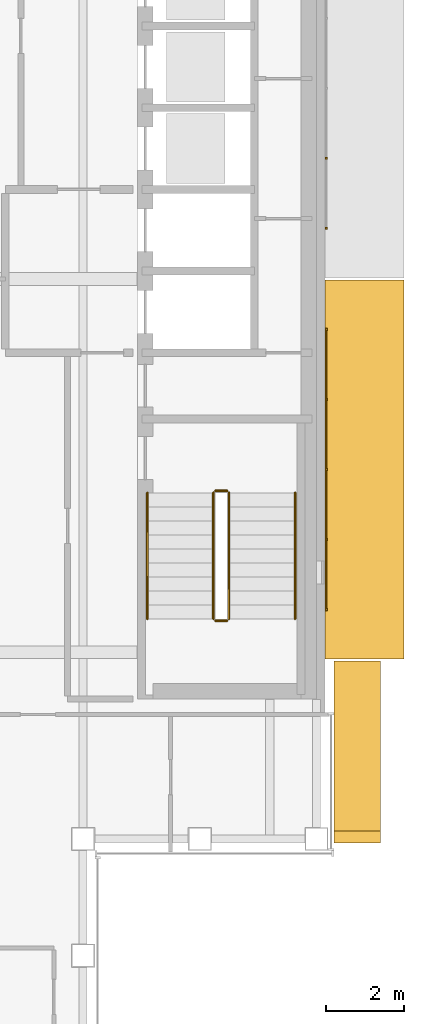
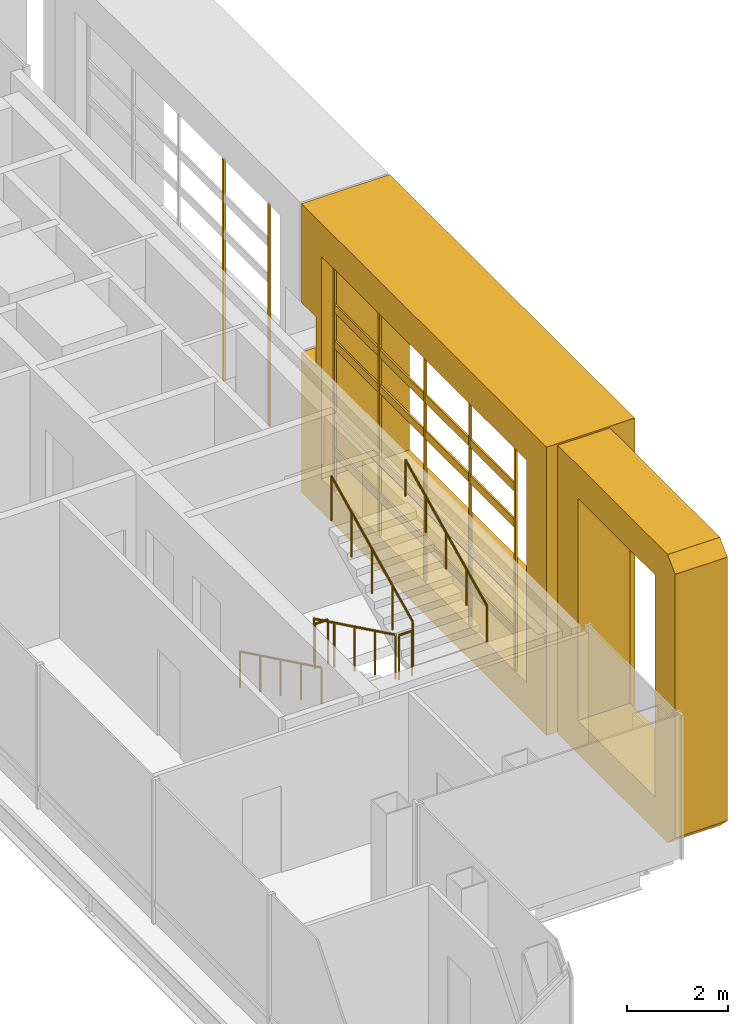
# One storey, part 18 of 21: 17 coverings, 6 railings.
"""IFC4 building model written with IfcOpenShell, lengths in metres."""

from ifc_helpers import new_model, si_unit, direction, frame, origin, origin_2d, place, context, subcontext, project, spatial, polyline, rectangle, circle, outline, extrude, material, type_object, element, save


model = new_model("IFC4")

# Units and contexts
model_context = context("Model", 3, precision=1e-05, world=origin(), true_north=direction((0.0, 1.0)))
body_context = subcontext(model_context, "Body", "Model", "MODEL_VIEW")
ifc_project = project(units=[si_unit("LENGTHUNIT", "METRE"), si_unit("AREAUNIT", "SQUARE_METRE"), si_unit("VOLUMEUNIT", "CUBIC_METRE"), si_unit("PLANEANGLEUNIT", "RADIAN"), si_unit("MASSUNIT", "GRAM", prefix="KILO")], contexts=[model_context])

# Site, building, storey
site_placement = place(None, origin())
site = spatial("IfcSite", under=ifc_project, at=site_placement, CompositionType="ELEMENT")
building_placement = place(site_placement, origin())
building = spatial("IfcBuilding", under=site, at=building_placement, Name="Cobrizo Arcos Hotel Tower", CompositionType="ELEMENT")
storey_placement = place(building_placement, frame((0.0, 0.0, 283.0)))
storey = spatial("IfcBuildingStorey", under=building, at=storey_placement, Name="L75", CompositionType="ELEMENT", Elevation=283.0)

# Coverings
ifc_material_1 = material(Name="Aluminium 6063-T6 anodised bronze", Category="aluminium")
covering_type_1 = type_object("IfcCoveringType", Name="FIN-F 1200", PredefinedType="CLADDING", material=ifc_material_1)
covering_1_placement = place(storey_placement, frame((20.85009765625, -14.5, 0.0), z_axis=(1.0, 0.0, 0.0), x_axis=(0.0, 1.0, 0.0)))
element("IfcCovering", 1, at=covering_1_placement, inside=storey, type_object=covering_type_1, Name="Fin frame 403", PredefinedType="CLADDING", context=body_context, shape_type="SweptSolid", body=[
    extrude(outline(polyline([(0.0, 0.300048828125), (0.300048828125, 0.0), (4.675048828125, 0.0), (4.675048828125, 7.0), (0.300048828125, 7.0), (0.0, 6.699951171875), (0.0, 0.300048828125)]), holes=[polyline([(3.875, 0.800048828125), (0.800048828125, 0.800048828125), (0.800048828125, 6.199951171875), (3.875, 6.199951171875), (3.875, 0.800048828125)])]), origin(), (0.0, 0.0, 1.0), 1.199951171875),
])
covering_type_2 = type_object("IfcCoveringType", Name="FIN-F 2025", PredefinedType="CLADDING", material=ifc_material_1)
covering_2_placement = place(storey_placement, frame((20.625, -9.77490234375, 0.0), z_axis=(1.0, 0.0, 0.0), x_axis=(0.0, 1.0, 0.0)))
element("IfcCovering", 2, at=covering_2_placement, inside=storey, type_object=covering_type_2, Name="Fin frame 404", PredefinedType="CLADDING", context=body_context, shape_type="SweptSolid", body=[
    extrude(outline(polyline([(9.75, 0.0), (9.75, 3.39794921875), (9.173095703125, 3.39794921875), (9.173095703125, 4.60205078125), (9.75, 4.60205078125), (9.75, 7.0), (0.0, 7.0), (0.0, 0.0), (9.75, 0.0)]), holes=[polyline([(8.949951171875, 0.800048828125), (0.800048828125, 0.800048828125), (0.800048828125, 6.199951171875), (8.949951171875, 6.199951171875), (8.949951171875, 0.800048828125)])]), origin(), (0.0, 0.0, 1.0), 2.02490234375),
])
ifc_material_2 = material(Name="Aluminium 6063-T6 anodised pale", Category="aluminium")
covering_type_3 = type_object("IfcCoveringType", Name="RS-2 rainscreen rib 60x50", PredefinedType="CLADDING", material=ifc_material_2)
for number, where, z_axis, x_axis, name in (
    (3, (20.64990234375, -8.5, 0.800048828125), (0.0, 0.0, 1.0), (0.0, 1.0, 0.0), "Rainscreen rib 301"),
    (4, (20.64990234375, -6.699951171875, 0.800048828125), (0.0, 0.0, 1.0), (0.0, 1.0, 0.0), "Rainscreen rib 302"),
    (5, (20.64990234375, -4.89990234375, 0.800048828125), (0.0, 0.0, 1.0), (0.0, 1.0, 0.0), "Rainscreen rib 303"),
    (6, (20.64990234375, -3.10009765625, 0.800048828125), (0.0, 0.0, 1.0), (0.0, 1.0, 0.0), "Rainscreen rib 304"),
    (7, (20.64990234375, -1.300048828125, 0.800048828125), (0.0, 0.0, 1.0), (0.0, 1.0, 0.0), "Rainscreen rib 305"),
    (8, (20.64990234375, 1.300048828125, 0.800048828125), (0.0, 0.0, 1.0), (0.0, 1.0, 0.0), "Rainscreen rib 306"),
    (9, (20.64990234375, 3.10009765625, 0.800048828125), (0.0, 0.0, 1.0), (0.0, 1.0, 0.0), "Rainscreen rib 307"),
):
    element("IfcCovering", number, at=place(storey_placement, frame(where, z_axis=z_axis, x_axis=x_axis)), inside=storey, type_object=covering_type_3, Name=name, PredefinedType="CLADDING", context=body_context, shape_type="SweptSolid", body=[
        extrude(rectangle(XDim=0.06005859375, YDim=0.050048828125, at=origin_2d()), origin(), (0.0, 0.0, 1.0), 5.39990234375),
    ])
covering_type_4 = type_object("IfcCoveringType", Name="RS-3 rainscreen louvre slat 200x40", PredefinedType="CLADDING", material=ifc_material_2)
for number, where, z_axis, x_axis, name in (
    (10, (20.64501953125, -6.699951171875, 1.64990234375), (0.0, 0.0, 1.0), (0.0, 1.0, 0.0), "Rainscreen slat 149"),
    (11, (20.64501953125, -6.699951171875, 2.52490234375), (0.0, 0.0, 1.0), (0.0, 1.0, 0.0), "Rainscreen slat 150"),
    (12, (20.64501953125, -3.10009765625, 1.64990234375), (0.0, 0.0, 1.0), (0.0, 1.0, 0.0), "Rainscreen slat 151"),
    (13, (20.64501953125, -3.10009765625, 2.52490234375), (0.0, 0.0, 1.0), (0.0, 1.0, 0.0), "Rainscreen slat 152"),
    (14, (20.64501953125, -6.699951171875, 4.27490234375), (0.0, 0.0, 1.0), (0.0, 1.0, 0.0), "Rainscreen slat 153"),
    (15, (20.64501953125, -6.699951171875, 5.14990234375), (0.0, 0.0, 1.0), (0.0, 1.0, 0.0), "Rainscreen slat 154"),
    (16, (20.64501953125, -3.10009765625, 4.27490234375), (0.0, 0.0, 1.0), (0.0, 1.0, 0.0), "Rainscreen slat 155"),
    (17, (20.64501953125, -3.10009765625, 5.14990234375), (0.0, 0.0, 1.0), (0.0, 1.0, 0.0), "Rainscreen slat 156"),
):
    element("IfcCovering", number, at=place(storey_placement, frame(where, z_axis=z_axis, x_axis=x_axis)), inside=storey, type_object=covering_type_4, Name=name, PredefinedType="CLADDING", context=body_context, shape_type="SweptSolid", body=[
        extrude(rectangle(XDim=3.5400390625, YDim=0.0400390625, at=origin_2d()), origin(), (0.0, 0.0, 1.0), 0.199951171875),
    ])

# Railings
ifc_material_3 = material(Name="Stainless steel railing", Category="steel")
railing_type_1 = type_object("IfcRailingType", Name="Stair guard 1100", PredefinedType="GUARDRAIL", material=ifc_material_3)
railing_1_placement = place(storey_placement, frame((17.75, -5.5, 0.175048828125)))
element("IfcRailing", 18, at=railing_1_placement, inside=storey, type_object=railing_type_1, Name="L75 ST-E stair guard 1", PredefinedType="GUARDRAIL", context=body_context, shape_type="SweptSolid", body=[
    extrude(circle(Radius=0.02392578125, at=origin_2d()), frame((0.0, 0.0, 1.076171875), z_axis=(0.0, -0.899372665325, 0.437182809435), x_axis=(1.0, 0.0, 0.0)), (0.0, 0.0, 1.0), 3.6025390625),
    extrude(circle(Radius=0.02099609375, at=origin_2d()), origin(), (0.0, 0.0, 1.0), 1.052001953125),
    extrude(circle(Radius=0.02099609375, at=origin_2d()), frame((0.0, -0.81005859375, 0.393798828125)), (0.0, 0.0, 1.0), 1.052001953125),
    extrude(circle(Radius=0.02099609375, at=origin_2d()), frame((0.0, -1.6201171875, 0.78759765625)), (0.0, 0.0, 1.0), 1.052001953125),
    extrude(circle(Radius=0.02099609375, at=origin_2d()), frame((0.0, -2.429931640625, 1.18115234375)), (0.0, 0.0, 1.0), 1.052001953125),
    extrude(circle(Radius=0.02099609375, at=origin_2d()), frame((0.0, -3.239990234375, 1.574951171875)), (0.0, 0.0, 1.0), 1.052001953125),
])
railing_2_placement = place(storey_placement, frame((17.800048828125, -8.7900390625, 1.75)))
element("IfcRailing", 19, at=railing_2_placement, inside=storey, type_object=railing_type_1, Name="L75 ST-E stair guard 2", PredefinedType="GUARDRAIL", context=body_context, shape_type="SweptSolid", body=[
    extrude(circle(Radius=0.02392578125, at=origin_2d()), frame((0.0, 0.0, 1.076171875), z_axis=(1.0, 0.0, 0.0), x_axis=(0.0, 1.0, 0.0)), (0.0, 0.0, 1.0), 0.300048828125),
    extrude(circle(Radius=0.02099609375, at=origin_2d()), origin(), (0.0, 0.0, 1.0), 1.052001953125),
    extrude(circle(Radius=0.02099609375, at=origin_2d()), frame((0.300048828125, 0.0, 0.0)), (0.0, 0.0, 1.0), 1.052001953125),
])
railing_3_placement = place(storey_placement, frame((18.14990234375, -8.739990234375, 1.925048828125)))
element("IfcRailing", 20, at=railing_3_placement, inside=storey, type_object=railing_type_1, Name="L75 ST-E stair guard 3", PredefinedType="GUARDRAIL", context=body_context, shape_type="SweptSolid", body=[
    extrude(circle(Radius=0.02392578125, at=origin_2d()), frame((0.0, 0.0, 1.076171875), z_axis=(0.0, 0.899372665325, 0.437182809435), x_axis=(-1.0, 0.0, 0.0)), (0.0, 0.0, 1.0), 3.6025390625),
    extrude(circle(Radius=0.02099609375, at=origin_2d()), origin(), (0.0, 0.0, 1.0), 1.052001953125),
    extrude(circle(Radius=0.02099609375, at=origin_2d()), frame((0.0, 0.81005859375, 0.393798828125)), (0.0, 0.0, 1.0), 1.052001953125),
    extrude(circle(Radius=0.02099609375, at=origin_2d()), frame((0.0, 1.6201171875, 0.78759765625)), (0.0, 0.0, 1.0), 1.052001953125),
    extrude(circle(Radius=0.02099609375, at=origin_2d()), frame((0.0, 2.429931640625, 1.18115234375)), (0.0, 0.0, 1.0), 1.052001953125),
    extrude(circle(Radius=0.02099609375, at=origin_2d()), frame((0.0, 3.239990234375, 1.574951171875)), (0.0, 0.0, 1.0), 1.052001953125),
])
railing_4_placement = place(storey_placement, frame((17.800048828125, -5.449951171875, 0.0)))
element("IfcRailing", 21, at=railing_4_placement, inside=storey, type_object=railing_type_1, Name="L75 ST-E stair guard 4", PredefinedType="GUARDRAIL", context=body_context, shape_type="SweptSolid", body=[
    extrude(circle(Radius=0.02392578125, at=origin_2d()), frame((0.0, 0.0, 1.076171875), z_axis=(1.0, 0.0, 0.0), x_axis=(0.0, 1.0, 0.0)), (0.0, 0.0, 1.0), 0.300048828125),
    extrude(circle(Radius=0.02099609375, at=origin_2d()), origin(), (0.0, 0.0, 1.0), 1.052001953125),
    extrude(circle(Radius=0.02099609375, at=origin_2d()), frame((0.300048828125, 0.0, 0.0)), (0.0, 0.0, 1.0), 1.052001953125),
])
railing_type_2 = type_object("IfcRailingType", Name="Stair handrail", PredefinedType="HANDRAIL", material=ifc_material_3)
railing_5_placement = place(storey_placement, frame((16.050048828125, -5.5, 0.175048828125)))
element("IfcRailing", 22, at=railing_5_placement, inside=storey, type_object=railing_type_2, Name="L75 ST-E stair handrail 1", PredefinedType="HANDRAIL", context=body_context, shape_type="SweptSolid", body=[
    extrude(circle(Radius=0.02392578125, at=origin_2d()), frame((0.0, 0.0, 0.8759765625), z_axis=(0.0, -0.899372665325, 0.437182809435), x_axis=(1.0, 0.0, 0.0)), (0.0, 0.0, 1.0), 3.6025390625),
    extrude(circle(Radius=0.02099609375, at=origin_2d()), origin(), (0.0, 0.0, 1.0), 0.851806640625),
    extrude(circle(Radius=0.02099609375, at=origin_2d()), frame((0.0, -0.81005859375, 0.393798828125)), (0.0, 0.0, 1.0), 0.851806640625),
    extrude(circle(Radius=0.02099609375, at=origin_2d()), frame((0.0, -1.6201171875, 0.78759765625)), (0.0, 0.0, 1.0), 0.851806640625),
    extrude(circle(Radius=0.02099609375, at=origin_2d()), frame((0.0, -2.429931640625, 1.18115234375)), (0.0, 0.0, 1.0), 0.851806640625),
    extrude(circle(Radius=0.02099609375, at=origin_2d()), frame((0.0, -3.239990234375, 1.574951171875)), (0.0, 0.0, 1.0), 0.851806640625),
])
railing_6_placement = place(storey_placement, frame((19.85009765625, -8.739990234375, 1.925048828125)))
element("IfcRailing", 23, at=railing_6_placement, inside=storey, type_object=railing_type_2, Name="L75 ST-E stair handrail 2", PredefinedType="HANDRAIL", context=body_context, shape_type="SweptSolid", body=[
    extrude(circle(Radius=0.02392578125, at=origin_2d()), frame((0.0, 0.0, 0.8759765625), z_axis=(0.0, 0.899372665325, 0.437182809435), x_axis=(-1.0, 0.0, 0.0)), (0.0, 0.0, 1.0), 3.6025390625),
    extrude(circle(Radius=0.02099609375, at=origin_2d()), origin(), (0.0, 0.0, 1.0), 0.851806640625),
    extrude(circle(Radius=0.02099609375, at=origin_2d()), frame((0.0, 0.81005859375, 0.393798828125)), (0.0, 0.0, 1.0), 0.851806640625),
    extrude(circle(Radius=0.02099609375, at=origin_2d()), frame((0.0, 1.6201171875, 0.78759765625)), (0.0, 0.0, 1.0), 0.851806640625),
    extrude(circle(Radius=0.02099609375, at=origin_2d()), frame((0.0, 2.429931640625, 1.18115234375)), (0.0, 0.0, 1.0), 0.851806640625),
    extrude(circle(Radius=0.02099609375, at=origin_2d()), frame((0.0, 3.239990234375, 1.574951171875)), (0.0, 0.0, 1.0), 0.851806640625),
])

save(model, "model.ifc")
